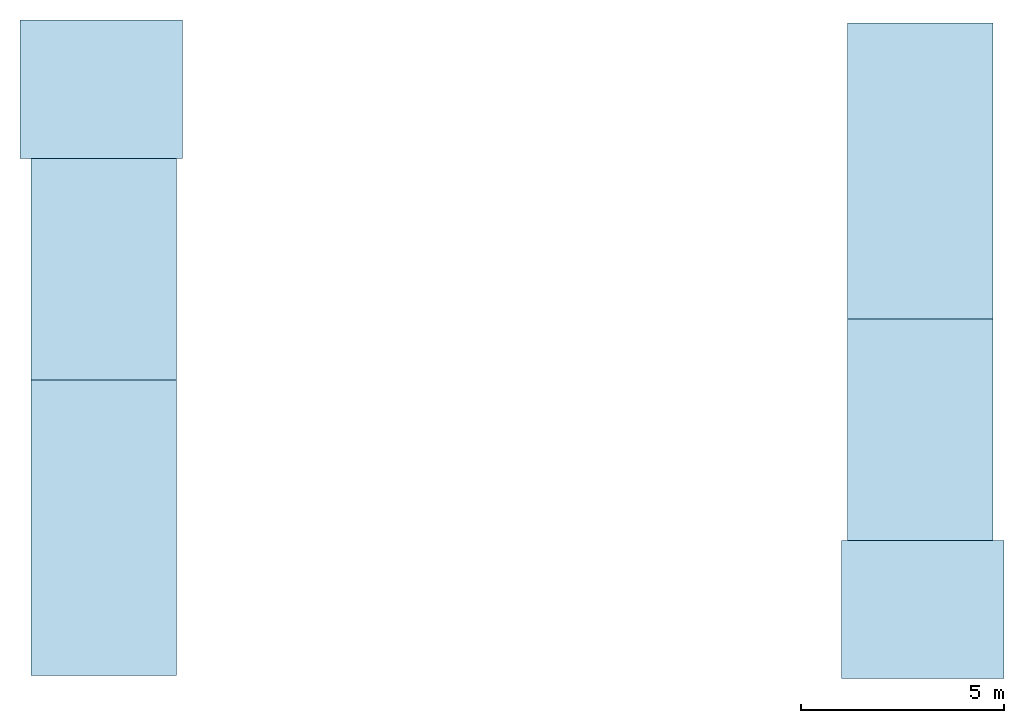
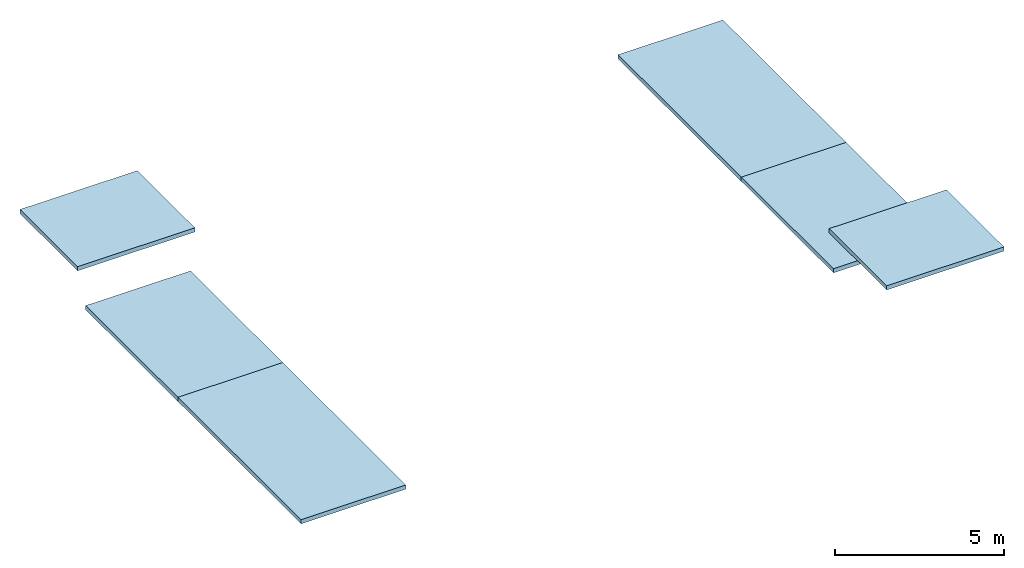
# One storey: 6 slabs.
"""IFC4 building model written with IfcOpenShell, lengths in metres."""

from ifc_helpers import new_model, si_unit, direction, frame, origin, place, context, subcontext, project, spatial, polyline, outline, extrude, material, layer, layer_set, type_object, element, save


model = new_model("IFC4")

# Units and contexts
model_context = context("Model", 3, precision=1e-05, world=origin(), true_north=direction((0.0, 1.0)))
body_context = subcontext(model_context, "Body", "Model", "MODEL_VIEW")
ifc_project = project(units=[si_unit("LENGTHUNIT", "METRE"), si_unit("AREAUNIT", "SQUARE_METRE"), si_unit("VOLUMEUNIT", "CUBIC_METRE"), si_unit("PLANEANGLEUNIT", "RADIAN"), si_unit("MASSUNIT", "GRAM", prefix="KILO")], contexts=[model_context])

# Site, building, storey
site_placement = place(None, origin())
site = spatial("IfcSite", under=ifc_project, at=site_placement, CompositionType="ELEMENT")
building_placement = place(site_placement, origin())
building = spatial("IfcBuilding", under=site, at=building_placement, Name="Jalousie Tower", CompositionType="ELEMENT")
storey_placement = place(building_placement, frame((0.0, 0.0, 280.75)))
storey = spatial("IfcBuildingStorey", under=building, at=storey_placement, Name="ROOF", CompositionType="ELEMENT", Elevation=280.75)

# Slabs
ifc_material = material(Name="Concrete f'c 40 MPa", Category="concrete")
ifc_layer = layer(ifc_material, 0.14990234375)
ifc_layer_set = layer_set([ifc_layer], Name="Concrete f'c 40 MPa")
slab_type = type_object("IfcSlabType", Name="STAIR HEAD HOUSE ROOF 150", PredefinedType="ROOF", material=ifc_layer_set)
slab_1_placement = place(storey_placement, origin())
element("IfcSlab", 1, at=slab_1_placement, inside=storey, type_object=slab_type, Name="Stair A head house roof", PredefinedType="ROOF", context=body_context, shape_type="SweptSolid", body=[
    extrude(outline(polyline([(20.074951171875, 10.47509765625), (23.64990234375, 10.47509765625), (23.64990234375, 17.75), (20.074951171875, 17.75), (20.074951171875, 10.47509765625)])), origin(), (0.0, 0.0, 1.0), 0.14990234375),
])
slab_2_placement = place(storey_placement, origin())
element("IfcSlab", 2, at=slab_2_placement, inside=storey, type_object=slab_type, Name="Fire-fighting lobby A roof", PredefinedType="ROOF", context=body_context, shape_type="SweptSolid", body=[
    extrude(outline(polyline([(20.074951171875, 17.75), (23.64990234375, 17.75), (23.64990234375, 23.199951171875), (20.074951171875, 23.199951171875), (20.074951171875, 17.75)])), origin(), (0.0, 0.0, 1.0), 0.14990234375),
])
slab_3_placement = place(storey_placement, frame((0.0, 0.0, 1.5)))
element("IfcSlab", 3, at=slab_3_placement, inside=storey, type_object=slab_type, Name="Lift F1 overrun roof", PredefinedType="ROOF", context=body_context, shape_type="SweptSolid", body=[
    extrude(outline(polyline([(19.800048828125, 23.199951171875), (23.800048828125, 23.199951171875), (23.800048828125, 26.60009765625), (19.800048828125, 26.60009765625), (19.800048828125, 23.199951171875)])), origin(), (0.0, 0.0, 1.0), 0.14990234375),
])
slab_4_placement = place(storey_placement, origin())
element("IfcSlab", 4, at=slab_4_placement, inside=storey, type_object=slab_type, Name="Stair B head house roof", PredefinedType="ROOF", context=body_context, shape_type="SweptSolid", body=[
    extrude(outline(polyline([(40.14990234375, 19.25), (43.72509765625, 19.25), (43.72509765625, 26.52490234375), (40.14990234375, 26.52490234375), (40.14990234375, 19.25)])), origin(), (0.0, 0.0, 1.0), 0.14990234375),
])
slab_5_placement = place(storey_placement, origin())
element("IfcSlab", 5, at=slab_5_placement, inside=storey, type_object=slab_type, Name="Fire-fighting lobby B roof", PredefinedType="ROOF", context=body_context, shape_type="SweptSolid", body=[
    extrude(outline(polyline([(40.14990234375, 13.800048828125), (43.72509765625, 13.800048828125), (43.72509765625, 19.25), (40.14990234375, 19.25), (40.14990234375, 13.800048828125)])), origin(), (0.0, 0.0, 1.0), 0.14990234375),
])
slab_6_placement = place(storey_placement, frame((0.0, 0.0, 1.5)))
element("IfcSlab", 6, at=slab_6_placement, inside=storey, type_object=slab_type, Name="Lift F2 overrun roof", PredefinedType="ROOF", context=body_context, shape_type="SweptSolid", body=[
    extrude(outline(polyline([(40.0, 10.39990234375), (44.0, 10.39990234375), (44.0, 13.800048828125), (40.0, 13.800048828125), (40.0, 10.39990234375)])), origin(), (0.0, 0.0, 1.0), 0.14990234375),
])

save(model, "model.ifc")
